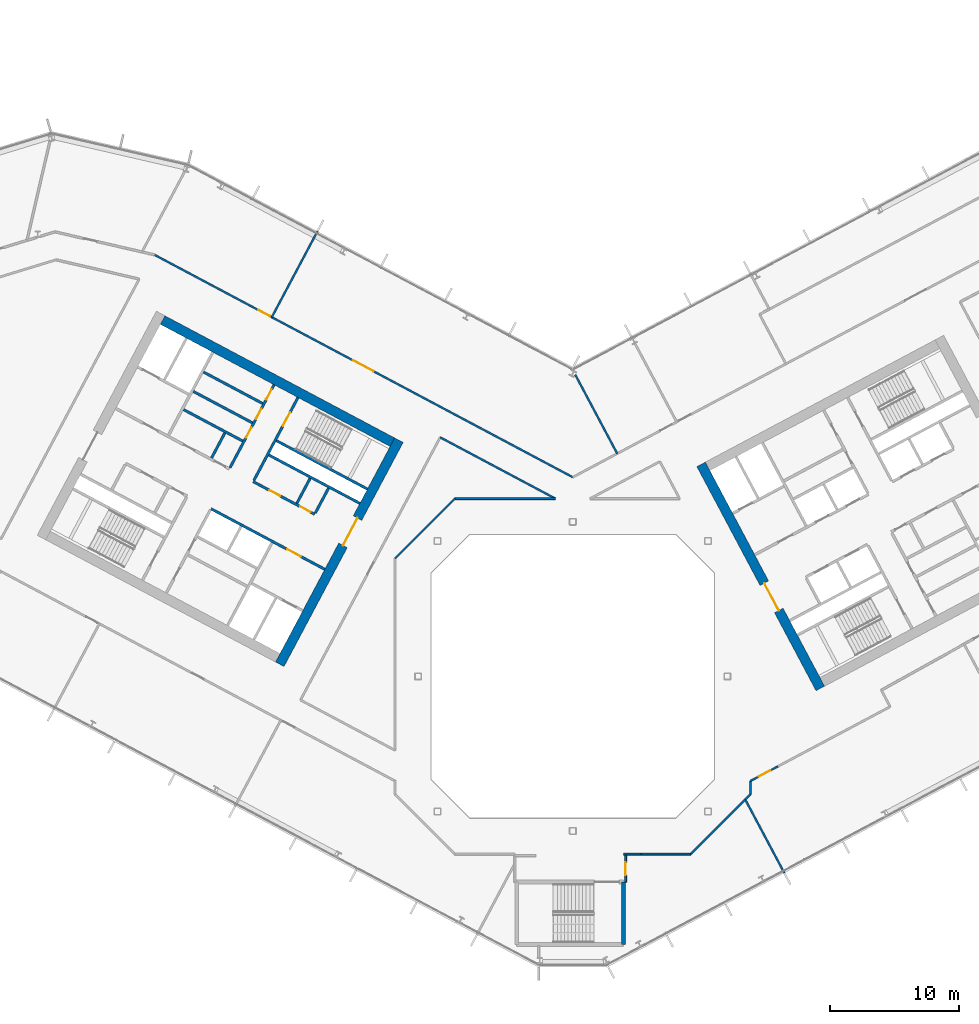
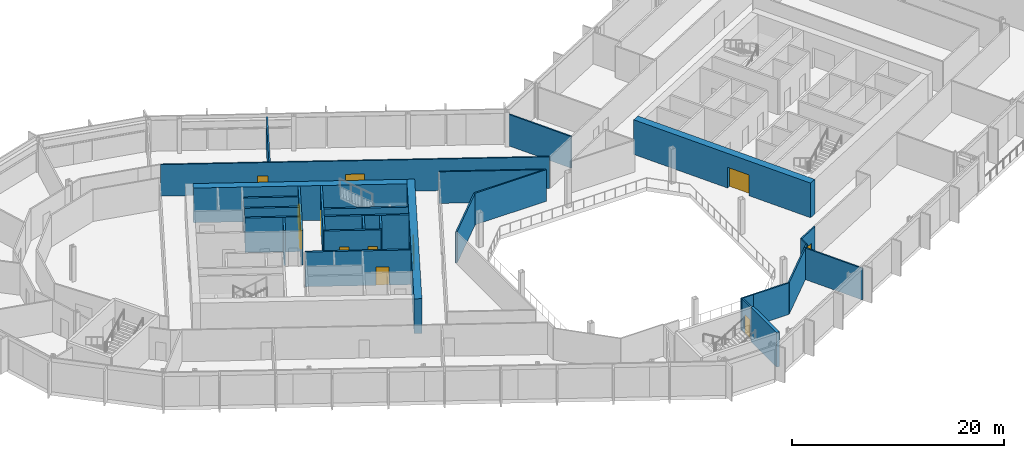
# One storey, part 19 of 34: 30 walls, 13 doors, 13 openings.
"""IFC4 building model written with IfcOpenShell, lengths in metres."""

from ifc_helpers import new_model, si_unit, direction, frame, frame_2d, origin, place, context, subcontext, project, spatial, rectangle, extrude, material, layer, layer_set, type_object, element, fill, save


model = new_model("IFC4")

# Units and contexts
model_context = context("Model", 3, precision=1e-05, world=origin(), true_north=direction((0.0, 1.0)))
body_context = subcontext(model_context, "Body", "Model", "MODEL_VIEW")
ifc_project = project(units=[si_unit("LENGTHUNIT", "METRE"), si_unit("AREAUNIT", "SQUARE_METRE"), si_unit("VOLUMEUNIT", "CUBIC_METRE"), si_unit("PLANEANGLEUNIT", "RADIAN"), si_unit("MASSUNIT", "GRAM", prefix="KILO")], contexts=[model_context])

# Site, building, storey
site_placement = place(None, origin())
site = spatial("IfcSite", under=ifc_project, at=site_placement, CompositionType="ELEMENT")
building_placement = place(site_placement, origin())
building = spatial("IfcBuilding", under=site, at=building_placement, Name="Cormorant Relay Tower", CompositionType="ELEMENT")
storey_placement = place(building_placement, frame((0.0, 0.0, 118.199951171875)))
storey = spatial("IfcBuildingStorey", under=building, at=storey_placement, Name="L23", CompositionType="ELEMENT", Elevation=118.199951171875)

# Walls
ifc_material_1 = material(Name="Concrete 40 MPa", Category="concrete")
ifc_layer_1 = layer(ifc_material_1, 0.199951171875)
ifc_layer_set_1 = layer_set([ifc_layer_1], Name="Core internal wall 200")
wall_type_1 = type_object("IfcWallType", Name="Core internal wall 200", PredefinedType="SOLIDWALL", material=ifc_layer_set_1)
for number, where, z_axis, x_axis, name in (
    (1, (-20.39013671875, 15.371826171875, 0.0), (0.0, 0.0, 1.0), (-0.4694473164, -0.882960484464, 0.0), "L23 core A shaft and room wall"),
    (2, (-27.01220703125, 18.892822265625, 0.0), (0.0, 0.0, 1.0), (-0.4694473164, -0.882960484464, 0.0), "L23 core A shaft and room wall"),
):
    element("IfcWall", number, at=place(storey_placement, frame(where, z_axis=z_axis, x_axis=x_axis)), inside=storey, type_object=wall_type_1, Name=name, PredefinedType="SOLIDWALL", context=body_context, shape_type="SweptSolid", body=[
        extrude(rectangle(XDim=2.199951171875, YDim=0.199951171875, at=frame_2d((1.10009765625, 0.0))), origin(), (0.0, 0.0, 1.0), 4.0),
    ])
for number, where, z_axis, x_axis, name in (
    (3, (-24.073974609375, 21.181396484375, 0.0), (0.0, 0.0, 1.0), (-0.882953967957, 0.469459572775, 0.0), "L23 core A shaft and room wall"),
    (4, (-24.8720703125, 19.680419921875, 0.0), (0.0, 0.0, 1.0), (-0.882953967957, 0.469459572775, 0.0), "L23 core A shaft and room wall"),
):
    element("IfcWall", number, at=place(storey_placement, frame(where, z_axis=z_axis, x_axis=x_axis)), inside=storey, type_object=wall_type_1, Name=name, PredefinedType="SOLIDWALL", context=body_context, shape_type="SweptSolid", body=[
        extrude(rectangle(XDim=5.199951171875, YDim=0.199951171875, at=frame_2d((2.60009765625, 0.0))), origin(), (0.0, 0.0, 1.0), 4.0),
    ])
ifc_material_2 = material(Name="Concrete 50 MPa", Category="concrete")
ifc_layer_2 = layer(ifc_material_2, 0.199951171875)
ifc_layer_set_2 = layer_set([ifc_layer_2], Name="Core shaft wall 200")
wall_type_2 = type_object("IfcWallType", Name="Core shaft wall 200", PredefinedType="SHEAR", material=ifc_layer_set_2)
wall_1_placement = place(storey_placement, frame((-18.959716796875, 14.611328125, 0.0), z_axis=(0.0, 0.0, 1.0), x_axis=(-0.4694473164, -0.882960484464, 0.0)))
element("IfcWall", 5, at=wall_1_placement, inside=storey, type_object=wall_type_2, Name="L23 core A shaft wall", PredefinedType="SHEAR", context=body_context, shape_type="SweptSolid", body=[
    extrude(rectangle(XDim=2.199951171875, YDim=0.199951171875, at=frame_2d((1.10009765625, 0.0))), origin(), (0.0, 0.0, 1.0), 4.0),
])

# Wall, opening, door
wall_2_placement = place(storey_placement, frame((-21.333251953125, 21.6494140625, 0.0), z_axis=(0.0, 0.0, 1.0), x_axis=(-0.469494272526, -0.882935517501, 0.0)))
wall_2 = element("IfcWall", 6, at=wall_2_placement, inside=storey, type_object=wall_type_2, Name="L23 core A shaft wall", PredefinedType="SHEAR", context=body_context, shape_type="SweptSolid", body=[
    extrude(rectangle(XDim=7.2998046875, YDim=0.199951171875, at=frame_2d((3.64990234375, 0.0))), origin(), (0.0, 0.0, 1.0), 4.0),
])
opening_1_placement = place(wall_2_placement, frame((1.300048828125, 0.0, 0.0)))
opening_1 = element("IfcOpeningElement", 7, at=opening_1_placement, cuts=wall_2, Name="Opening CDB-034", PredefinedType="OPENING", context=body_context, shape_type="SweptSolid", body=[
    extrude(rectangle(XDim=1.199951171875, YDim=2.10009765625, at=frame_2d((0.60009765625, 1.050048828125))), frame((0.0, 0.10986328125, 0.0), z_axis=(0.0, -1.0, 0.0), x_axis=(1.0, 0.0, 0.0)), (0.0, 0.0, 1.0), 0.219970703125),
])
ifc_material_3 = material(Name="Steel fire door", Category="steel")
door_type_1 = type_object("IfcDoorType", Name="Core stair door 1200x2100", OperationType="SINGLE_SWING_LEFT", PredefinedType="DOOR", material=ifc_material_3)
door_1_placement = place(opening_1_placement, origin())
door_1 = element("IfcDoor", 8, at=door_1_placement, inside=storey, type_object=door_type_1, Name="Core stair door 1200x2100", OperationType="SINGLE_SWING_RIGHT", OverallHeight=2.10009765625, OverallWidth=1.199951171875, PredefinedType="DOOR", context=body_context, shape_type="SweptSolid", body=[
    extrude(rectangle(XDim=1.199951171875, YDim=2.10009765625, at=frame_2d((0.60009765625, 1.050048828125))), frame((0.0, 0.02490234375, 0.0), z_axis=(0.0, -1.0, 0.0), x_axis=(1.0, 0.0, 0.0)), (0.0, 0.0, 1.0), 0.050048828125),
])
fill(opening_1, door_1)

# Wall, openings, doors
wall_3_placement = place(storey_placement, frame((-23.1875, 22.635498046875, 0.0), z_axis=(0.0, 0.0, 1.0), x_axis=(-0.469454336211, -0.882956752176, 0.0)))
wall_3 = element("IfcWall", 9, at=wall_3_placement, inside=storey, type_object=wall_type_2, Name="L23 core A shaft wall", PredefinedType="SHEAR", context=body_context, shape_type="SweptSolid", body=[
    extrude(rectangle(XDim=7.300048828125, YDim=0.199951171875, at=frame_2d((3.64990234375, 0.0))), origin(), (0.0, 0.0, 1.0), 4.0),
])
opening_2_placement = place(wall_3_placement, frame((0.39990234375, 0.0, 0.0)))
opening_2 = element("IfcOpeningElement", 10, at=opening_2_placement, cuts=wall_3, Name="Opening CDD-174", PredefinedType="OPENING", context=body_context, shape_type="SweptSolid", body=[
    extrude(rectangle(XDim=0.89990234375, YDim=2.10009765625, at=frame_2d((0.449951171875, 1.050048828125))), frame((0.0, 0.10986328125, 0.0), z_axis=(0.0, -1.0, 0.0), x_axis=(1.0, 0.0, 0.0)), (0.0, 0.0, 1.0), 0.219970703125),
])
opening_3_placement = place(wall_3_placement, frame((2.10009765625, 0.0, 0.0)))
opening_3 = element("IfcOpeningElement", 11, at=opening_3_placement, cuts=wall_3, Name="Opening CDD-175", PredefinedType="OPENING", context=body_context, shape_type="SweptSolid", body=[
    extrude(rectangle(XDim=0.89990234375, YDim=2.10009765625, at=frame_2d((0.449951171875, 1.050048828125))), frame((0.0, 0.10986328125, 0.0), z_axis=(0.0, -1.0, 0.0), x_axis=(1.0, 0.0, 0.0)), (0.0, 0.0, 1.0), 0.219970703125),
])
opening_4_placement = place(wall_3_placement, frame((3.75, 0.0, 0.0)))
opening_4 = element("IfcOpeningElement", 12, at=opening_4_placement, cuts=wall_3, Name="Opening CDD-176", PredefinedType="OPENING", context=body_context, shape_type="SweptSolid", body=[
    extrude(rectangle(XDim=0.89990234375, YDim=2.10009765625, at=frame_2d((0.449951171875, 1.050048828125))), frame((0.0, 0.10986328125, 0.0), z_axis=(0.0, -1.0, 0.0), x_axis=(1.0, 0.0, 0.0)), (0.0, 0.0, 1.0), 0.219970703125),
])
ifc_material_4 = material(Name="Steel fire door", Category="steel")
door_type_2 = type_object("IfcDoorType", Name="Core room door 900x2100", OperationType="SINGLE_SWING_LEFT", PredefinedType="DOOR", material=ifc_material_4)
door_2_placement = place(opening_2_placement, origin())
door_2 = element("IfcDoor", 13, at=door_2_placement, inside=storey, type_object=door_type_2, Name="Core room door 900x2100", OperationType="SINGLE_SWING_LEFT", OverallHeight=2.10009765625, OverallWidth=0.89990234375, PredefinedType="DOOR", context=body_context, shape_type="SweptSolid", body=[
    extrude(rectangle(XDim=0.89990234375, YDim=2.10009765625, at=frame_2d((0.449951171875, 1.050048828125))), frame((0.0, 0.02490234375, 0.0), z_axis=(0.0, -1.0, 0.0), x_axis=(1.0, 0.0, 0.0)), (0.0, 0.0, 1.0), 0.050048828125),
])
fill(opening_2, door_2)
door_3_placement = place(opening_3_placement, origin())
door_3 = element("IfcDoor", 14, at=door_3_placement, inside=storey, type_object=door_type_2, Name="Core room door 900x2100", OperationType="SINGLE_SWING_LEFT", OverallHeight=2.10009765625, OverallWidth=0.89990234375, PredefinedType="DOOR", context=body_context, shape_type="SweptSolid", body=[
    extrude(rectangle(XDim=0.89990234375, YDim=2.10009765625, at=frame_2d((0.449951171875, 1.050048828125))), frame((0.0, 0.02490234375, 0.0), z_axis=(0.0, -1.0, 0.0), x_axis=(1.0, 0.0, 0.0)), (0.0, 0.0, 1.0), 0.050048828125),
])
fill(opening_3, door_3)
door_4_placement = place(opening_4_placement, origin())
door_4 = element("IfcDoor", 15, at=door_4_placement, inside=storey, type_object=door_type_2, Name="Core room door 900x2100", OperationType="SINGLE_SWING_LEFT", OverallHeight=2.10009765625, OverallWidth=0.89990234375, PredefinedType="DOOR", context=body_context, shape_type="SweptSolid", body=[
    extrude(rectangle(XDim=0.89990234375, YDim=2.10009765625, at=frame_2d((0.449951171875, 1.050048828125))), frame((0.0, 0.02490234375, 0.0), z_axis=(0.0, -1.0, 0.0), x_axis=(1.0, 0.0, 0.0)), (0.0, 0.0, 1.0), 0.050048828125),
])
fill(opening_4, door_4)

# Walls
wall_4_placement = place(storey_placement, frame((-15.94189453125, 14.53564453125, 0.0), z_axis=(0.0, 0.0, 1.0), x_axis=(-0.882946947542, 0.469472776449, 0.0)))
element("IfcWall", 16, at=wall_4_placement, inside=storey, type_object=wall_type_2, Name="L23 core A shaft wall", PredefinedType="SHEAR", context=body_context, shape_type="SweptSolid", body=[
    extrude(rectangle(XDim=8.000244140625, YDim=0.199951171875, at=frame_2d((4.0, 0.0))), origin(), (0.0, 0.0, 1.0), 4.0),
])
wall_5_placement = place(storey_placement, frame((-16.52880859375, 13.43212890625, 0.0), z_axis=(0.0, 0.0, 1.0), x_axis=(-0.88295287151, 0.469461634952, 0.0)))
element("IfcWall", 17, at=wall_5_placement, inside=storey, type_object=wall_type_2, Name="L23 core A shaft wall", PredefinedType="SHEAR", context=body_context, shape_type="SweptSolid", body=[
    extrude(rectangle(XDim=7.999755859375, YDim=0.199951171875, at=frame_2d((4.0, 0.0))), origin(), (0.0, 0.0, 1.0), 4.0),
])
wall_6_placement = place(storey_placement, frame((-25.623046875, 18.267578125, 0.0), z_axis=(0.0, 0.0, 1.0), x_axis=(-0.882953967957, 0.469459572775, 0.0)))
element("IfcWall", 18, at=wall_6_placement, inside=storey, type_object=wall_type_2, Name="L23 core A shaft wall", PredefinedType="SHEAR", context=body_context, shape_type="SweptSolid", body=[
    extrude(rectangle(XDim=5.199951171875, YDim=0.199951171875, at=frame_2d((2.60009765625, 0.0))), origin(), (0.0, 0.0, 1.0), 4.0),
])

# Wall, openings, doors
wall_7_placement = place(storey_placement, frame((-20.03955078125, 12.58056640625, 0.0), z_axis=(0.0, 0.0, 1.0), x_axis=(-0.882942972946, 0.469480251476, 0.0)))
wall_7 = element("IfcWall", 19, at=wall_7_placement, inside=storey, type_object=wall_type_2, Name="L23 core A shaft wall", PredefinedType="SHEAR", context=body_context, shape_type="SweptSolid", body=[
    extrude(rectangle(XDim=5.39990234375, YDim=0.199951171875, at=frame_2d((2.699951171875, 0.0))), origin(), (0.0, 0.0, 1.0), 4.0),
])
opening_5_placement = place(wall_7_placement, frame((0.360107421875, 0.0, 0.0)))
opening_5 = element("IfcOpeningElement", 20, at=opening_5_placement, cuts=wall_7, Name="Opening CDD-168", PredefinedType="OPENING", context=body_context, shape_type="SweptSolid", body=[
    extrude(rectangle(XDim=0.89990234375, YDim=2.10009765625, at=frame_2d((0.449951171875, 1.050048828125))), frame((0.0, 0.10986328125, 0.0), z_axis=(0.0, -1.0, 0.0), x_axis=(1.0, 0.0, 0.0)), (0.0, 0.0, 1.0), 0.219970703125),
])
opening_6_placement = place(wall_7_placement, frame((3.06005859375, 0.0, 0.0)))
opening_6 = element("IfcOpeningElement", 21, at=opening_6_placement, cuts=wall_7, Name="Opening CDD-169", PredefinedType="OPENING", context=body_context, shape_type="SweptSolid", body=[
    extrude(rectangle(XDim=0.89990234375, YDim=2.10009765625, at=frame_2d((0.449951171875, 1.050048828125))), frame((0.0, 0.10986328125, 0.0), z_axis=(0.0, -1.0, 0.0), x_axis=(1.0, 0.0, 0.0)), (0.0, 0.0, 1.0), 0.219970703125),
])
door_5_placement = place(opening_5_placement, origin())
door_5 = element("IfcDoor", 22, at=door_5_placement, inside=storey, type_object=door_type_2, Name="Core room door 900x2100", OperationType="SINGLE_SWING_LEFT", OverallHeight=2.10009765625, OverallWidth=0.89990234375, PredefinedType="DOOR", context=body_context, shape_type="SweptSolid", body=[
    extrude(rectangle(XDim=0.89990234375, YDim=2.10009765625, at=frame_2d((0.449951171875, 1.050048828125))), frame((0.0, 0.02490234375, 0.0), z_axis=(0.0, -1.0, 0.0), x_axis=(1.0, 0.0, 0.0)), (0.0, 0.0, 1.0), 0.050048828125),
])
fill(opening_5, door_5)
door_6_placement = place(opening_6_placement, origin())
door_6 = element("IfcDoor", 23, at=door_6_placement, inside=storey, type_object=door_type_2, Name="Core room door 900x2100", OperationType="SINGLE_SWING_LEFT", OverallHeight=2.10009765625, OverallWidth=0.89990234375, PredefinedType="DOOR", context=body_context, shape_type="SweptSolid", body=[
    extrude(rectangle(XDim=0.89990234375, YDim=2.10009765625, at=frame_2d((0.449951171875, 1.050048828125))), frame((0.0, 0.02490234375, 0.0), z_axis=(0.0, -1.0, 0.0), x_axis=(1.0, 0.0, 0.0)), (0.0, 0.0, 1.0), 0.050048828125),
])
fill(opening_6, door_6)

# Wall, opening, door
wall_8_placement = place(storey_placement, frame((-19.251708984375, 8.31103515625, 0.0), z_axis=(0.0, 0.0, 1.0), x_axis=(-0.882955722218, 0.469456273365, 0.0)))
wall_8 = element("IfcWall", 24, at=wall_8_placement, inside=storey, type_object=wall_type_2, Name="L23 core A shaft wall", PredefinedType="SHEAR", context=body_context, shape_type="SweptSolid", body=[
    extrude(rectangle(XDim=10.0, YDim=0.199951171875, at=frame_2d((5.0, 0.0))), origin(), (0.0, 0.0, 1.0), 4.0),
])
opening_7_placement = place(wall_8_placement, frame((2.10009765625, 0.0, 0.0)))
opening_7 = element("IfcOpeningElement", 25, at=opening_7_placement, cuts=wall_8, Name="Opening CDC-025", PredefinedType="OPENING", context=body_context, shape_type="SweptSolid", body=[
    extrude(rectangle(XDim=1.199951171875, YDim=2.10009765625, at=frame_2d((0.60009765625, 1.050048828125))), frame((0.0, 0.10986328125, 0.0), z_axis=(0.0, -1.0, 0.0), x_axis=(1.0, 0.0, 0.0)), (0.0, 0.0, 1.0), 0.219970703125),
])
ifc_material_5 = material(Name="Steel fire door", Category="steel")
door_type_3 = type_object("IfcDoorType", Name="Core lobby door 1200x2100", OperationType="SINGLE_SWING_LEFT", PredefinedType="DOOR", material=ifc_material_5)
door_7_placement = place(opening_7_placement, origin())
door_7 = element("IfcDoor", 26, at=door_7_placement, inside=storey, type_object=door_type_3, Name="Core lobby door 1200x2100", OperationType="SINGLE_SWING_RIGHT", OverallHeight=2.10009765625, OverallWidth=1.199951171875, PredefinedType="DOOR", context=body_context, shape_type="SweptSolid", body=[
    extrude(rectangle(XDim=1.199951171875, YDim=2.10009765625, at=frame_2d((0.60009765625, 1.050048828125))), frame((0.0, 0.02490234375, 0.0), z_axis=(0.0, -1.0, 0.0), x_axis=(1.0, 0.0, 0.0)), (0.0, 0.0, 1.0), 0.050048828125),
])
fill(opening_7, door_7)

ifc_material_6 = material(Name="Concrete 60 MPa", Category="concrete")
ifc_layer_3 = layer(ifc_material_6, 0.75)
ifc_layer_set_3 = layer_set([ifc_layer_3], Name="Core wall 750")
wall_type_3 = type_object("IfcWallType", Name="Core wall 750", PredefinedType="SHEAR", material=ifc_layer_set_3)
wall_9_placement = place(storey_placement, frame((-13.498291015625, 18.3330078125, 0.0), z_axis=(0.0, 0.0, 1.0), x_axis=(-0.469469918705, -0.88294846703, 0.0)))
wall_9 = element("IfcWall", 27, at=wall_9_placement, inside=storey, type_object=wall_type_3, Name="L23 core A wall", PredefinedType="SHEAR", context=body_context, shape_type="SweptSolid", body=[
    extrude(rectangle(XDim=19.699951171875, YDim=0.75, at=frame_2d((9.85009765625, 0.0))), origin(), (0.0, 0.0, 1.0), 4.0),
])
opening_8_placement = place(wall_9_placement, frame((6.85009765625, 0.0, 0.0)))
opening_8 = element("IfcOpeningElement", 28, at=opening_8_placement, cuts=wall_9, Name="Opening CDA-026", PredefinedType="OPENING", context=body_context, shape_type="SweptSolid", body=[
    extrude(rectangle(XDim=2.39990234375, YDim=2.39990234375, at=frame_2d((1.199951171875, 1.199951171875))), frame((0.0, 0.385009765625, 0.0), z_axis=(0.0, -1.0, 0.0), x_axis=(1.0, 0.0, 0.0)), (0.0, 0.0, 1.0), 0.77001953125),
])
ifc_material_7 = material(Name="Steel fire door", Category="steel")
door_type_4 = type_object("IfcDoorType", Name="Core lobby door 2400x2400", OperationType="DOUBLE_DOOR_SINGLE_SWING", PredefinedType="DOOR", material=ifc_material_7)
door_8_placement = place(opening_8_placement, origin())
door_8 = element("IfcDoor", 29, at=door_8_placement, inside=storey, type_object=door_type_4, Name="Core lobby door 2400x2400", OperationType="DOUBLE_DOOR_SINGLE_SWING", OverallHeight=2.39990234375, OverallWidth=2.39990234375, PredefinedType="DOOR", context=body_context, shape_type="SweptSolid", body=[
    extrude(rectangle(XDim=2.39990234375, YDim=2.39990234375, at=frame_2d((1.199951171875, 1.199951171875))), frame((0.0, 0.02490234375, 0.0), z_axis=(0.0, -1.0, 0.0), x_axis=(1.0, 0.0, 0.0)), (0.0, 0.0, 1.0), 0.050048828125),
])
fill(opening_8, door_8)

# Wall
wall_10_placement = place(storey_placement, frame((-14.00537109375, 18.177978515625, 0.0), z_axis=(0.0, 0.0, 1.0), x_axis=(-0.88295010195, 0.469466843842, 0.0)))
element("IfcWall", 30, at=wall_10_placement, inside=storey, type_object=wall_type_3, Name="L23 core A wall", PredefinedType="SHEAR", context=body_context, shape_type="SweptSolid", body=[
    extrude(rectangle(XDim=20.199951171875, YDim=0.75, at=frame_2d((10.10009765625, 0.0))), origin(), (0.0, 0.0, 1.0), 4.0),
])

# Wall, opening, door
wall_11_placement = place(storey_placement, frame((19.215087890625, -0.93896484375, 0.0), z_axis=(0.0, 0.0, 1.0), x_axis=(-0.469479580143, 0.882943329908, 0.0)))
wall_11 = element("IfcWall", 31, at=wall_11_placement, inside=storey, type_object=wall_type_3, Name="L23 core B wall", PredefinedType="SHEAR", context=body_context, shape_type="SweptSolid", body=[
    extrude(rectangle(XDim=19.699951171875, YDim=0.75, at=frame_2d((9.85009765625, 0.0))), origin(), (0.0, 0.0, 1.0), 4.0),
])
opening_9_placement = place(wall_11_placement, frame((6.85009765625, 0.0, 0.0)))
opening_9 = element("IfcOpeningElement", 32, at=opening_9_placement, cuts=wall_11, Name="Opening CDA-028", PredefinedType="OPENING", context=body_context, shape_type="SweptSolid", body=[
    extrude(rectangle(XDim=2.39990234375, YDim=2.39990234375, at=frame_2d((1.199951171875, 1.199951171875))), frame((0.0, 0.385009765625, 0.0), z_axis=(0.0, -1.0, 0.0), x_axis=(1.0, 0.0, 0.0)), (0.0, 0.0, 1.0), 0.77001953125),
])
door_9_placement = place(opening_9_placement, frame((2.39990234375, 0.0, 0.0), z_axis=(0.0, 0.0, 1.0), x_axis=(-1.0, 0.0, 0.0)))
door_9 = element("IfcDoor", 33, at=door_9_placement, inside=storey, type_object=door_type_4, Name="Core lobby door 2400x2400", OperationType="DOUBLE_DOOR_SINGLE_SWING", OverallHeight=2.39990234375, OverallWidth=2.39990234375, PredefinedType="DOOR", context=body_context, shape_type="SweptSolid", body=[
    extrude(rectangle(XDim=2.39990234375, YDim=2.39990234375, at=frame_2d((1.199951171875, 1.199951171875))), frame((0.0, 0.02490234375, 0.0), z_axis=(0.0, -1.0, 0.0), x_axis=(1.0, 0.0, 0.0)), (0.0, 0.0, 1.0), 0.050048828125),
])
fill(opening_9, door_9)

# Wall, openings, doors
ifc_material_8 = material(Name="Gypsum board fire partition")
ifc_layer_4 = layer(ifc_material_8, 0.14990234375)
ifc_layer_set_4 = layer_set([ifc_layer_4], Name="Corridor partition 150 EI 60")
wall_type_4 = type_object("IfcWallType", Name="Corridor partition 150 EI 60", PredefinedType="PARTITIONING", material=ifc_layer_set_4)
wall_12_placement = place(storey_placement, frame((-32.469970703125, 32.72412109375, 0.0), z_axis=(0.0, 0.0, 1.0), x_axis=(0.88295243426, -0.469462457321, 0.0)))
wall_12 = element("IfcWall", 34, at=wall_12_placement, inside=storey, type_object=wall_type_4, Name="wall/L23/part/033", PredefinedType="PARTITIONING", context=body_context, shape_type="SweptSolid", body=[
    extrude(rectangle(XDim=36.7744140625, YDim=0.14990234375, at=frame_2d((18.38720703125, 0.0))), origin(), (0.0, 0.0, 1.0), 3.64013671875),
])
opening_10_placement = place(wall_12_placement, frame((17.449951171875, 0.0, 0.0)))
opening_10 = element("IfcOpeningElement", 35, at=opening_10_placement, cuts=wall_12, Name="Opening DD-004", PredefinedType="OPENING", context=body_context, shape_type="SweptSolid", body=[
    extrude(rectangle(XDim=1.800048828125, YDim=2.10009765625, at=frame_2d((0.89990234375, 1.050048828125))), frame((0.0, 0.0849609375, 0.0), z_axis=(0.0, -1.0, 0.0), x_axis=(1.0, 0.0, 0.0)), (0.0, 0.0, 1.0), 0.169921875),
])
opening_11_placement = place(wall_12_placement, frame((9.14990234375, 0.0, 0.0)))
opening_11 = element("IfcOpeningElement", 36, at=opening_11_placement, cuts=wall_12, Name="Opening DS-007", PredefinedType="OPENING", context=body_context, shape_type="SweptSolid", body=[
    extrude(rectangle(XDim=1.0, YDim=2.10009765625, at=frame_2d((0.5, 1.050048828125))), frame((0.0, 0.0849609375, 0.0), z_axis=(0.0, -1.0, 0.0), x_axis=(1.0, 0.0, 0.0)), (0.0, 0.0, 1.0), 0.169921875),
])
ifc_material_9 = material(Name="Timber door leaf", Category="wood")
door_type_5 = type_object("IfcDoorType", Name="Suite door 1000x2100", OperationType="SINGLE_SWING_LEFT", PredefinedType="DOOR", material=ifc_material_9)
door_10_placement = place(opening_11_placement, origin())
door_10 = element("IfcDoor", 37, at=door_10_placement, inside=storey, type_object=door_type_5, Name="door/L23/011", OperationType="SINGLE_SWING_RIGHT", OverallHeight=2.10009765625, OverallWidth=1.0, PredefinedType="DOOR", context=body_context, shape_type="SweptSolid", body=[
    extrude(rectangle(XDim=1.0, YDim=2.10009765625, at=frame_2d((0.5, 1.050048828125))), frame((0.0, 0.02490234375, 0.0), z_axis=(0.0, -1.0, 0.0), x_axis=(1.0, 0.0, 0.0)), (0.0, 0.0, 1.0), 0.050048828125),
])
fill(opening_11, door_10)
ifc_material_10 = material(Name="Timber door leaf", Category="wood")
door_type_6 = type_object("IfcDoorType", Name="Suite double door 1800x2100", OperationType="DOUBLE_DOOR_SINGLE_SWING", PredefinedType="DOOR", material=ifc_material_10)
door_11_placement = place(opening_10_placement, origin())
door_11 = element("IfcDoor", 38, at=door_11_placement, inside=storey, type_object=door_type_6, Name="door/L23/010", OperationType="DOUBLE_DOOR_SINGLE_SWING", OverallHeight=2.10009765625, OverallWidth=1.800048828125, PredefinedType="DOOR", context=body_context, shape_type="SweptSolid", body=[
    extrude(rectangle(XDim=1.800048828125, YDim=2.10009765625, at=frame_2d((0.89990234375, 1.050048828125))), frame((0.0, 0.02490234375, 0.0), z_axis=(0.0, -1.0, 0.0), x_axis=(1.0, 0.0, 0.0)), (0.0, 0.0, 1.0), 0.050048828125),
])
fill(opening_10, door_11)

# Wall, opening, door
wall_13_placement = place(storey_placement, frame((4.10009765625, -15.97509765625, 0.0), z_axis=(0.0, 0.0, 1.0), x_axis=(0.0, 1.0, 0.0)))
wall_13 = element("IfcWall", 39, at=wall_13_placement, inside=storey, type_object=wall_type_4, Name="wall/L23/part/045", PredefinedType="PARTITIONING", context=body_context, shape_type="SweptSolid", body=[
    extrude(rectangle(XDim=2.150146484375, YDim=0.14990234375, at=frame_2d((1.0751953125, 0.0))), origin(), (0.0, 0.0, 1.0), 3.64013671875),
])
opening_12_placement = place(wall_13_placement, frame((0.550048828125, 0.0, 0.0)))
opening_12 = element("IfcOpeningElement", 40, at=opening_12_placement, cuts=wall_13, Name="Opening DS-002", PredefinedType="OPENING", context=body_context, shape_type="SweptSolid", body=[
    extrude(rectangle(XDim=1.0, YDim=2.10009765625, at=frame_2d((0.5, 1.050048828125))), frame((0.0, 0.0849609375, 0.0), z_axis=(0.0, -1.0, 0.0), x_axis=(1.0, 0.0, 0.0)), (0.0, 0.0, 1.0), 0.169921875),
])
door_12_placement = place(opening_12_placement, frame((1.0, 0.0, 0.0), z_axis=(0.0, 0.0, 1.0), x_axis=(-1.0, 0.0, 0.0)))
door_12 = element("IfcDoor", 41, at=door_12_placement, inside=storey, type_object=door_type_5, Name="door/L23/003", OperationType="SINGLE_SWING_LEFT", OverallHeight=2.10009765625, OverallWidth=1.0, PredefinedType="DOOR", context=body_context, shape_type="SweptSolid", body=[
    extrude(rectangle(XDim=1.0, YDim=2.10009765625, at=frame_2d((0.5, 1.050048828125))), frame((0.0, 0.02490234375, 0.0), z_axis=(0.0, -1.0, 0.0), x_axis=(1.0, 0.0, 0.0)), (0.0, 0.0, 1.0), 0.050048828125),
])
fill(opening_12, door_12)

# Walls
wall_14_placement = place(storey_placement, frame((5.302978515625, -13.800048828125, 0.0), z_axis=(0.0, 0.0, 1.0), x_axis=(-1.0, 0.0, 0.0)))
element("IfcWall", 42, at=wall_14_placement, inside=storey, type_object=wall_type_4, Name="wall/L23/part/046", PredefinedType="PARTITIONING", context=body_context, shape_type="SweptSolid", body=[
    extrude(rectangle(XDim=1.35302734375, YDim=0.14990234375, at=frame_2d((0.676513671875, 0.0))), origin(), (0.0, 0.0, 1.0), 3.64013671875),
])
wall_15_placement = place(storey_placement, frame((13.39306640625, -9.56689453125, 0.0), z_axis=(0.0, 0.0, 1.0), x_axis=(-0.707106781187, -0.707106781187, 0.0)))
element("IfcWall", 43, at=wall_15_placement, inside=storey, type_object=wall_type_4, Name="wall/L23/part/048", PredefinedType="PARTITIONING", context=body_context, shape_type="SweptSolid", body=[
    extrude(rectangle(XDim=5.986572265625, YDim=0.14990234375, at=frame_2d((2.9931640625, 0.0))), origin(), (0.0, 0.0, 1.0), 3.64013671875),
])
wall_16_placement = place(storey_placement, frame((9.159912109375, -13.800048828125, 0.0), z_axis=(0.0, 0.0, 1.0), x_axis=(-1.0, 0.0, 0.0)))
element("IfcWall", 44, at=wall_16_placement, inside=storey, type_object=wall_type_4, Name="wall/L23/part/049", PredefinedType="PARTITIONING", context=body_context, shape_type="SweptSolid", body=[
    extrude(rectangle(XDim=3.85693359375, YDim=0.14990234375, at=frame_2d((1.928466796875, 0.0))), origin(), (0.0, 0.0, 1.0), 3.64013671875),
])
wall_17_placement = place(storey_placement, frame((13.800048828125, -8.14990234375, 0.0), z_axis=(0.0, 0.0, 1.0), x_axis=(0.0, -1.0, 0.0)))
element("IfcWall", 45, at=wall_17_placement, inside=storey, type_object=wall_type_4, Name="wall/L23/part/051", PredefinedType="PARTITIONING", context=body_context, shape_type="SweptSolid", body=[
    extrude(rectangle(XDim=1.010009765625, YDim=0.14990234375, at=frame_2d((0.5048828125, 0.0))), origin(), (0.0, 0.0, 1.0), 3.64013671875),
])
wall_18_placement = place(storey_placement, frame((13.800048828125, -9.159912109375, 0.0), z_axis=(0.0, 0.0, 1.0), x_axis=(-0.707106781187, -0.707106781187, 0.0)))
element("IfcWall", 46, at=wall_18_placement, inside=storey, type_object=wall_type_4, Name="wall/L23/part/052", PredefinedType="PARTITIONING", context=body_context, shape_type="SweptSolid", body=[
    extrude(rectangle(XDim=0.570068359375, YDim=0.14990234375, at=frame_2d((0.28515625, 0.0))), origin(), (0.0, 0.0, 1.0), 3.64013671875),
])

# Wall, opening, door
wall_19_placement = place(storey_placement, frame((13.800048828125, -8.1220703125, 0.0), z_axis=(0.0, 0.0, 1.0), x_axis=(0.883005513351, 0.469362613969, 0.0)))
wall_19 = element("IfcWall", 47, at=wall_19_placement, inside=storey, type_object=wall_type_4, Name="wall/L23/part/053", PredefinedType="PARTITIONING", context=body_context, shape_type="SweptSolid", body=[
    extrude(rectangle(XDim=2.409912109375, YDim=0.14990234375, at=frame_2d((1.205078125, 0.0))), origin(), (0.0, 0.0, 1.0), 3.64013671875),
])
opening_13_placement = place(wall_19_placement, frame((0.75, 0.0, 0.0)))
opening_13 = element("IfcOpeningElement", 48, at=opening_13_placement, cuts=wall_19, Name="Opening DS-003", PredefinedType="OPENING", context=body_context, shape_type="SweptSolid", body=[
    extrude(rectangle(XDim=1.0, YDim=2.10009765625, at=frame_2d((0.5, 1.050048828125))), frame((0.0, 0.0849609375, 0.0), z_axis=(0.0, -1.0, 0.0), x_axis=(1.0, 0.0, 0.0)), (0.0, 0.0, 1.0), 0.169921875),
])
door_13_placement = place(opening_13_placement, frame((1.0, 0.0, 0.0), z_axis=(0.0, 0.0, 1.0), x_axis=(-1.0, 0.0, 0.0)))
door_13 = element("IfcDoor", 49, at=door_13_placement, inside=storey, type_object=door_type_5, Name="door/L23/004", OperationType="SINGLE_SWING_RIGHT", OverallHeight=2.10009765625, OverallWidth=1.0, PredefinedType="DOOR", context=body_context, shape_type="SweptSolid", body=[
    extrude(rectangle(XDim=1.0, YDim=2.10009765625, at=frame_2d((0.5, 1.050048828125))), frame((0.0, 0.02490234375, 0.0), z_axis=(0.0, -1.0, 0.0), x_axis=(1.0, 0.0, 0.0)), (0.0, 0.0, 1.0), 0.050048828125),
])
fill(opening_13, door_13)

# Walls
wall_20_placement = place(storey_placement, frame((-10.2939453125, 18.554931640625, 0.0), z_axis=(0.0, 0.0, 1.0), x_axis=(0.882931500577, -0.469501826714, 0.0)))
element("IfcWall", 50, at=wall_20_placement, inside=storey, type_object=wall_type_4, Name="wall/L23/part/075", PredefinedType="PARTITIONING", context=body_context, shape_type="SweptSolid", body=[
    extrude(rectangle(XDim=10.12744140625, YDim=0.14990234375, at=frame_2d((5.063720703125, 0.0))), origin(), (0.0, 0.0, 1.0), 3.64013671875),
])
wall_21_placement = place(storey_placement, frame((-1.35205078125, 13.800048828125, 0.0), z_axis=(0.0, 0.0, 1.0), x_axis=(-1.0, 0.0, 0.0)))
element("IfcWall", 51, at=wall_21_placement, inside=storey, type_object=wall_type_4, Name="wall/L23/part/076", PredefinedType="PARTITIONING", context=body_context, shape_type="SweptSolid", body=[
    extrude(rectangle(XDim=7.807861328125, YDim=0.14990234375, at=frame_2d((3.90380859375, 0.0))), origin(), (0.0, 0.0, 1.0), 3.64013671875),
])
wall_22_placement = place(storey_placement, frame((-9.159912109375, 13.800048828125, 0.0), z_axis=(0.0, 0.0, 1.0), x_axis=(-0.707106781187, -0.707106781187, 0.0)))
element("IfcWall", 52, at=wall_22_placement, inside=storey, type_object=wall_type_4, Name="wall/L23/part/077", PredefinedType="PARTITIONING", context=body_context, shape_type="SweptSolid", body=[
    extrude(rectangle(XDim=6.562255859375, YDim=0.14990234375, at=frame_2d((3.28125, 0.0))), origin(), (0.0, 0.0, 1.0), 3.64013671875),
])
ifc_material_11 = material(Name="Concrete 50 MPa", Category="concrete")
ifc_layer_5 = layer(ifc_material_11, 0.300048828125)
ifc_layer_set_5 = layer_set([ifc_layer_5], Name="Remote stair wall 300")
wall_type_5 = type_object("IfcWallType", Name="Remote stair wall 300", PredefinedType="SHEAR", material=ifc_layer_set_5)
wall_23_placement = place(storey_placement, frame((3.949951171875, -15.97509765625, 0.0), z_axis=(0.0, 0.0, 1.0), x_axis=(0.0, -1.0, 0.0)))
element("IfcWall", 53, at=wall_23_placement, inside=storey, type_object=wall_type_5, Name="L23 exit stair RK1 wall", PredefinedType="SHEAR", context=body_context, shape_type="SweptSolid", body=[
    extrude(rectangle(XDim=4.849853515625, YDim=0.300048828125, at=frame_2d((2.4248046875, 0.0))), origin(), (0.0, 0.0, 1.0), 4.0),
])
ifc_material_12 = material(Name="Gypsum board partition")
ifc_layer_6 = layer(ifc_material_12, 0.14990234375)
ifc_layer_set_6 = layer_set([ifc_layer_6], Name="Tenant partition 150")
wall_type_6 = type_object("IfcWallType", Name="Tenant partition 150", PredefinedType="PARTITIONING", material=ifc_layer_set_6)
wall_24_placement = place(storey_placement, frame((-19.822021484375, 34.550048828125, 0.0), z_axis=(0.0, 0.0, 1.0), x_axis=(-0.469426325488, -0.88297164447, 0.0)))
element("IfcWall", 54, at=wall_24_placement, inside=storey, type_object=wall_type_6, Name="wall/L23/part/035", PredefinedType="PARTITIONING", context=body_context, shape_type="SweptSolid", body=[
    extrude(rectangle(XDim=7.549560546875, YDim=0.14990234375, at=frame_2d((3.77490234375, 0.0))), origin(), (0.0, 0.0, 1.0), 3.64013671875),
])
wall_25_placement = place(storey_placement, frame((0.19091796875, 23.422119140625, 0.0), z_axis=(0.0, 0.0, 1.0), x_axis=(0.46954180368, -0.882910241529, 0.0)))
element("IfcWall", 55, at=wall_25_placement, inside=storey, type_object=wall_type_6, Name="wall/L23/part/036", PredefinedType="PARTITIONING", context=body_context, shape_type="SweptSolid", body=[
    extrude(rectangle(XDim=6.94091796875, YDim=0.14990234375, at=frame_2d((3.470458984375, 0.0))), origin(), (0.0, 0.0, 1.0), 3.64013671875),
])
wall_26_placement = place(storey_placement, frame((13.39306640625, -9.56689453125, 0.0), z_axis=(0.0, 0.0, 1.0), x_axis=(0.469578527863, -0.882890710207, 0.0)))
element("IfcWall", 56, at=wall_26_placement, inside=storey, type_object=wall_type_6, Name="wall/L23/part/050", PredefinedType="PARTITIONING", context=body_context, shape_type="SweptSolid", body=[
    extrude(rectangle(XDim=6.465087890625, YDim=0.14990234375, at=frame_2d((3.232421875, 0.0))), origin(), (0.0, 0.0, 1.0), 3.64013671875),
])

save(model, "model.ifc")
